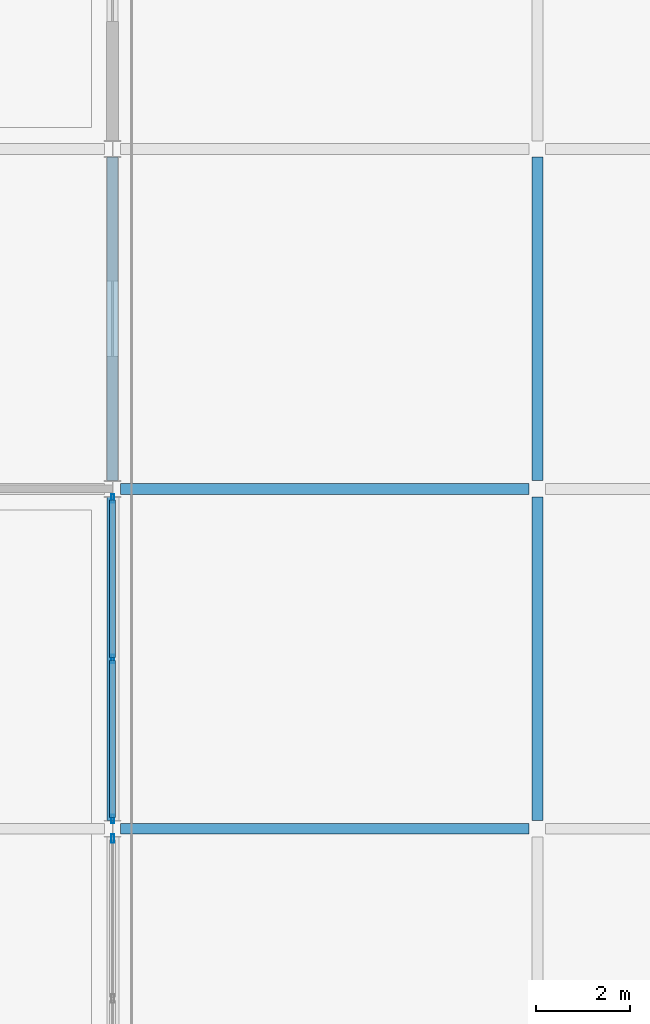
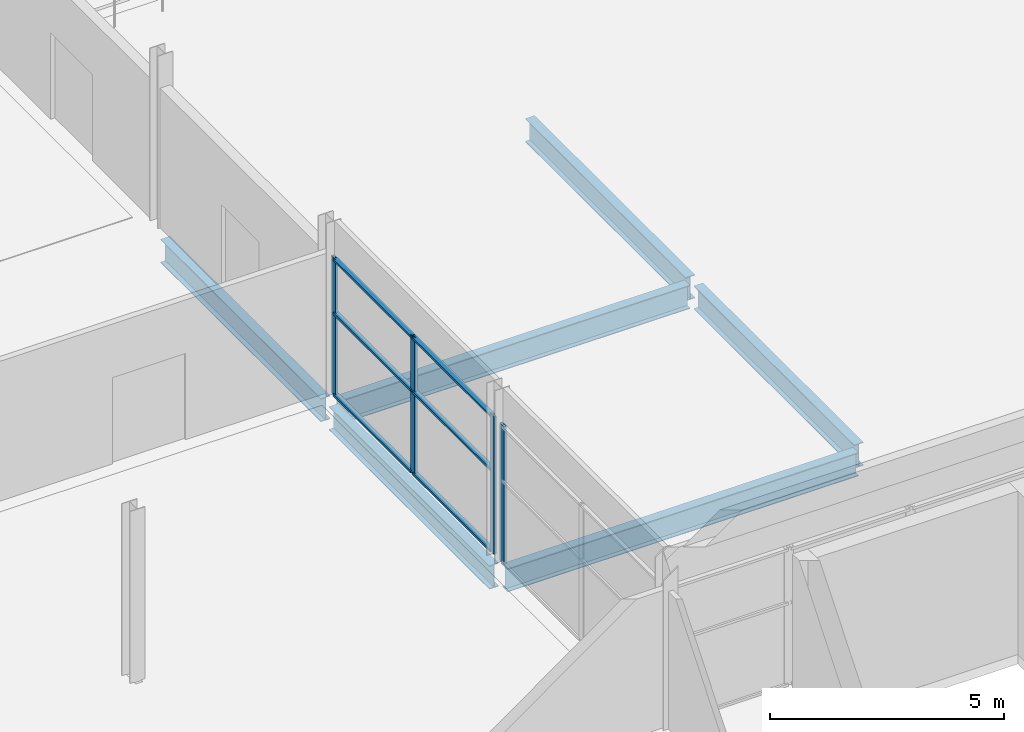
# One storey, part 38 of 78: 10 members, 6 beams, 2 elements without a shape of their own.
"""IFC4 building model written with IfcOpenShell, lengths in metres."""

from ifc_helpers import new_model, si_unit, direction, frame, origin, origin_2d, place, context, subcontext, project, spatial, hollow_rectangle, i_section, extrude, material, layer, layer_set, material_profile, profile_set, type_object, element, aggregate, save


model = new_model("IFC4")

# Units and contexts
model_context = context("Model", 3, precision=1e-05, world=origin(), true_north=direction((0.0, 1.0)))
body_context = subcontext(model_context, "Body", "Model", "MODEL_VIEW")
ifc_project = project(units=[si_unit("LENGTHUNIT", "METRE"), si_unit("AREAUNIT", "SQUARE_METRE"), si_unit("VOLUMEUNIT", "CUBIC_METRE"), si_unit("PLANEANGLEUNIT", "RADIAN"), si_unit("MASSUNIT", "GRAM", prefix="KILO")], contexts=[model_context])

# Site, building, storey
site_placement = place(None, origin())
site = spatial("IfcSite", under=ifc_project, at=site_placement, CompositionType="ELEMENT")
building_placement = place(site_placement, origin())
building = spatial("IfcBuilding", under=site, at=building_placement, Name="Celestram Park Convention Centre", CompositionType="ELEMENT")
storey_placement = place(building_placement, frame((0.0, 0.0, 19.800048828125)))
storey = spatial("IfcBuildingStorey", under=building, at=storey_placement, Name="L04", CompositionType="ELEMENT", Elevation=19.800048828125)

# Curtain wall, members
ifc_material_1 = material(Name="Anodised Aluminium Alloy 6063-T6", Category="aluminium")
ifc_layer = layer(ifc_material_1, 0.179931640625)
ifc_layer_set = layer_set([ifc_layer], Name="Anodised Aluminium Alloy 6063-T6")
curtain_wall_type = type_object("IfcCurtainWallType", Name="ARC-CW-685X359", PredefinedType="NOTDEFINED", material=ifc_layer_set)
curtain_wall_1_placement = place(storey_placement, origin())
curtain_wall_1 = element("IfcCurtainWall", 1, at=curtain_wall_1_placement, inside=storey, type_object=curtain_wall_type, Name="Unitised curtain wall CU-L04-239", PredefinedType="NOTDEFINED")
ifc_material_profile_1 = material_profile(ifc_material_1, hollow_rectangle(XDim=0.06494140625, YDim=0.179931640625, WallThickness=0.00390625, at=origin_2d()), Name="ALU65X180X4")
ifc_profile_set_1 = profile_set([ifc_material_profile_1], Name="Anodised Aluminium Alloy 6063-T6")
member_type_1 = type_object("IfcMemberType", Name="ARC-CWM-150", PredefinedType="MULLION", material=ifc_profile_set_1)
member_1_placement = place(storey_placement, frame((99.0, 136.591552734375, 0.0), z_axis=(0.0, 0.0, 1.0), x_axis=(1.0, 0.0, 0.0)))
member_1 = element("IfcMember", 2, at=member_1_placement, type_object=member_type_1, Name="CW-68X35 mullion 1", PredefinedType="MULLION", context=body_context, shape_type="SweptSolid", body=[
    extrude(hollow_rectangle(XDim=0.06494140625, YDim=0.179931640625, WallThickness=0.00390625, at=origin_2d()), origin(), (0.0, 0.0, 1.0), 3.587890625),
])
member_2_placement = place(storey_placement, frame((99.0, 133.199951171875, 0.0), z_axis=(0.0, 0.0, 1.0), x_axis=(1.0, 0.0, 0.0)))
member_2 = element("IfcMember", 3, at=member_2_placement, type_object=member_type_1, Name="CW-68X35 mullion 2", PredefinedType="MULLION", context=body_context, shape_type="SweptSolid", body=[
    extrude(hollow_rectangle(XDim=0.06494140625, YDim=0.179931640625, WallThickness=0.00390625, at=origin_2d()), origin(), (0.0, 0.0, 1.0), 3.587890625),
])
member_3_placement = place(storey_placement, frame((99.0, 129.80859375, 0.0), z_axis=(0.0, 0.0, 1.0), x_axis=(1.0, 0.0, 0.0)))
member_3 = element("IfcMember", 4, at=member_3_placement, type_object=member_type_1, Name="CW-68X35 mullion 3", PredefinedType="MULLION", context=body_context, shape_type="SweptSolid", body=[
    extrude(hollow_rectangle(XDim=0.06494140625, YDim=0.179931640625, WallThickness=0.00390625, at=origin_2d()), origin(), (0.0, 0.0, 1.0), 3.587890625),
])

# Curtain wall, member
curtain_wall_2_placement = place(storey_placement, origin())
curtain_wall_2 = element("IfcCurtainWall", 5, at=curtain_wall_2_placement, inside=storey, type_object=curtain_wall_type, Name="Unitised curtain wall CU-L04-240", PredefinedType="NOTDEFINED")
member_4_placement = place(storey_placement, frame((99.0, 129.3916015625, 0.0), z_axis=(0.0, 0.0, 1.0), x_axis=(1.0, 0.0, 0.0)))
member_4 = element("IfcMember", 6, at=member_4_placement, type_object=member_type_1, Name="CW-68X35 mullion 1", PredefinedType="MULLION", context=body_context, shape_type="SweptSolid", body=[
    extrude(hollow_rectangle(XDim=0.06494140625, YDim=0.179931640625, WallThickness=0.00390625, at=origin_2d()), origin(), (0.0, 0.0, 1.0), 3.587890625),
])
aggregate(curtain_wall_2, [member_4])

# Member
ifc_material_profile_2 = material_profile(ifc_material_1, hollow_rectangle(XDim=0.1201171875, YDim=0.06005859375, WallThickness=0.0029296875, at=origin_2d()), Name="ALU120X60X3")
ifc_profile_set_2 = profile_set([ifc_material_profile_2], Name="Anodised Aluminium Alloy 6063-T6")
member_type_2 = type_object("IfcMemberType", Name="ARC-CWT-120", PredefinedType="USERDEFINED", material=ifc_profile_set_2)
member_5_placement = place(storey_placement, frame((99.0, 136.55908203125, 0.030029296875), z_axis=(0.0, -1.0, 0.0), x_axis=(1.0, 0.0, 0.0)))
member_5 = element("IfcMember", 7, at=member_5_placement, type_object=member_type_2, Name="CW-68X35 transom 1.1", ObjectType="TRANSOM", PredefinedType="USERDEFINED", context=body_context, shape_type="SweptSolid", body=[
    extrude(hollow_rectangle(XDim=0.1201171875, YDim=0.06005859375, WallThickness=0.0029296875, at=origin_2d()), origin(), (0.0, 0.0, 1.0), 3.32666015625),
])

member_6_placement = place(storey_placement, frame((99.0, 136.55908203125, 2.15283203125), z_axis=(0.0, -1.0, 0.0), x_axis=(1.0, 0.0, 0.0)))
member_6 = element("IfcMember", 8, at=member_6_placement, type_object=member_type_2, Name="CW-68X35 transom 1.2", ObjectType="TRANSOM", PredefinedType="USERDEFINED", context=body_context, shape_type="SweptSolid", body=[
    extrude(hollow_rectangle(XDim=0.1201171875, YDim=0.06005859375, WallThickness=0.0029296875, at=origin_2d()), origin(), (0.0, 0.0, 1.0), 3.32666015625),
])

member_7_placement = place(storey_placement, frame((99.0, 136.55908203125, 3.557861328125), z_axis=(0.0, -1.0, 0.0), x_axis=(1.0, 0.0, 0.0)))
member_7 = element("IfcMember", 9, at=member_7_placement, type_object=member_type_2, Name="CW-68X35 transom 1.3", ObjectType="TRANSOM", PredefinedType="USERDEFINED", context=body_context, shape_type="SweptSolid", body=[
    extrude(hollow_rectangle(XDim=0.1201171875, YDim=0.06005859375, WallThickness=0.0029296875, at=origin_2d()), origin(), (0.0, 0.0, 1.0), 3.32666015625),
])

member_8_placement = place(storey_placement, frame((99.0, 133.16748046875, 0.030029296875), z_axis=(0.0, -1.0, 0.0), x_axis=(1.0, 0.0, 0.0)))
member_8 = element("IfcMember", 10, at=member_8_placement, type_object=member_type_2, Name="CW-68X35 transom 2.1", ObjectType="TRANSOM", PredefinedType="USERDEFINED", context=body_context, shape_type="SweptSolid", body=[
    extrude(hollow_rectangle(XDim=0.1201171875, YDim=0.06005859375, WallThickness=0.0029296875, at=origin_2d()), origin(), (0.0, 0.0, 1.0), 3.326416015625),
])

member_9_placement = place(storey_placement, frame((99.0, 133.16748046875, 2.15283203125), z_axis=(0.0, -1.0, 0.0), x_axis=(1.0, 0.0, 0.0)))
member_9 = element("IfcMember", 11, at=member_9_placement, type_object=member_type_2, Name="CW-68X35 transom 2.2", ObjectType="TRANSOM", PredefinedType="USERDEFINED", context=body_context, shape_type="SweptSolid", body=[
    extrude(hollow_rectangle(XDim=0.1201171875, YDim=0.06005859375, WallThickness=0.0029296875, at=origin_2d()), origin(), (0.0, 0.0, 1.0), 3.326416015625),
])

member_10_placement = place(storey_placement, frame((99.0, 133.16748046875, 3.557861328125), z_axis=(0.0, -1.0, 0.0), x_axis=(1.0, 0.0, 0.0)))
member_10 = element("IfcMember", 12, at=member_10_placement, type_object=member_type_2, Name="CW-68X35 transom 2.3", ObjectType="TRANSOM", PredefinedType="USERDEFINED", context=body_context, shape_type="SweptSolid", body=[
    extrude(hollow_rectangle(XDim=0.1201171875, YDim=0.06005859375, WallThickness=0.0029296875, at=origin_2d()), origin(), (0.0, 0.0, 1.0), 3.326416015625),
])

aggregate(curtain_wall_1, [member_1, member_2, member_3, member_5, member_6, member_7, member_8, member_9, member_10])

# Beams
ifc_material_2 = material(Name="Steel ASTM A992 Grade 50", Category="steel")
ifc_material_profile_3 = material_profile(ifc_material_2, i_section(OverallWidth=0.22900390625, OverallDepth=0.612060546875, WebThickness=0.011962890625, FlangeThickness=0.01953125, at=origin_2d()), Name="W24X84")
ifc_profile_set_3 = profile_set([ifc_material_profile_3], Name="Steel ASTM A992 Grade 50")
beam_type = type_object("IfcBeamType", Name="STR-BM-W24X84", PredefinedType="BEAM", material=ifc_profile_set_3)
beam_1_placement = place(storey_placement, frame((99.173095703125, 129.60009765625, -0.60595703125), z_axis=(1.0, 0.0, 0.0), x_axis=(0.0, 1.0, 0.0)))
element("IfcBeam", 13, at=beam_1_placement, inside=storey, type_object=beam_type, Name="Primary X-girder BG-L04-0106", PredefinedType="BEAM", context=body_context, shape_type="SweptSolid", body=[
    extrude(i_section(OverallWidth=0.22900390625, OverallDepth=0.612060546875, WebThickness=0.011962890625, FlangeThickness=0.01953125, at=origin_2d()), origin(), (0.0, 0.0, 1.0), 8.65380859375),
])
beam_2_placement = place(storey_placement, frame((99.0, 129.77294921875, -0.60595703125), z_axis=(0.0, 1.0, 0.0), x_axis=(-1.0, 0.0, 0.0)))
element("IfcBeam", 14, at=beam_2_placement, inside=storey, type_object=beam_type, Name="Primary Y-girder BG-L04-0107", PredefinedType="BEAM", context=body_context, shape_type="SweptSolid", body=[
    extrude(i_section(OverallWidth=0.22900390625, OverallDepth=0.612060546875, WebThickness=0.011962890625, FlangeThickness=0.01953125, at=origin_2d()), origin(), (0.0, 0.0, 1.0), 6.85400390625),
])
beam_3_placement = place(storey_placement, frame((99.173095703125, 136.800048828125, -0.60595703125), z_axis=(1.0, 0.0, 0.0), x_axis=(0.0, 1.0, 0.0)))
element("IfcBeam", 15, at=beam_3_placement, inside=storey, type_object=beam_type, Name="Primary X-girder BG-L04-0108", PredefinedType="BEAM", context=body_context, shape_type="SweptSolid", body=[
    extrude(i_section(OverallWidth=0.22900390625, OverallDepth=0.612060546875, WebThickness=0.011962890625, FlangeThickness=0.01953125, at=origin_2d()), origin(), (0.0, 0.0, 1.0), 8.65380859375),
])
for number, where, z_axis, x_axis, name in (
    (16, (99.0, 136.972900390625, -0.60595703125), (0.0, 1.0, 0.0), (-1.0, 0.0, 0.0), "Primary Y-girder BG-L04-0109"),
    (17, (108.0, 129.77294921875, -0.60595703125), (0.0, 1.0, 0.0), (-1.0, 0.0, 0.0), "Primary Y-girder BG-L04-0123"),
    (18, (108.0, 136.972900390625, -0.60595703125), (0.0, 1.0, 0.0), (-1.0, 0.0, 0.0), "Primary Y-girder BG-L04-0125"),
):
    element("IfcBeam", number, at=place(storey_placement, frame(where, z_axis=z_axis, x_axis=x_axis)), inside=storey, type_object=beam_type, Name=name, PredefinedType="BEAM", context=body_context, shape_type="SweptSolid", body=[
        extrude(i_section(OverallWidth=0.22900390625, OverallDepth=0.612060546875, WebThickness=0.011962890625, FlangeThickness=0.01953125, at=origin_2d()), origin(), (0.0, 0.0, 1.0), 6.85400390625),
    ])

save(model, "model.ifc")
